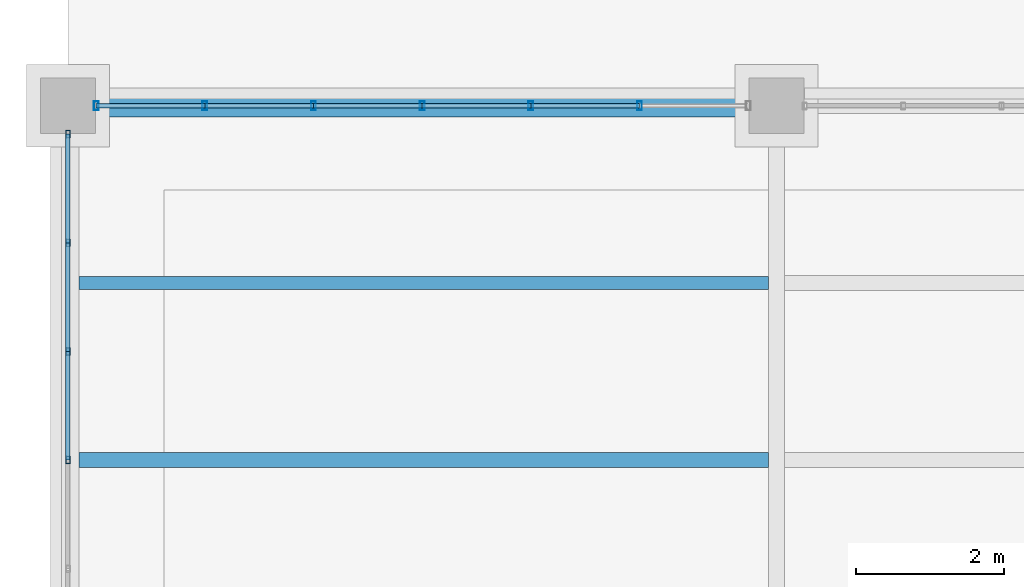
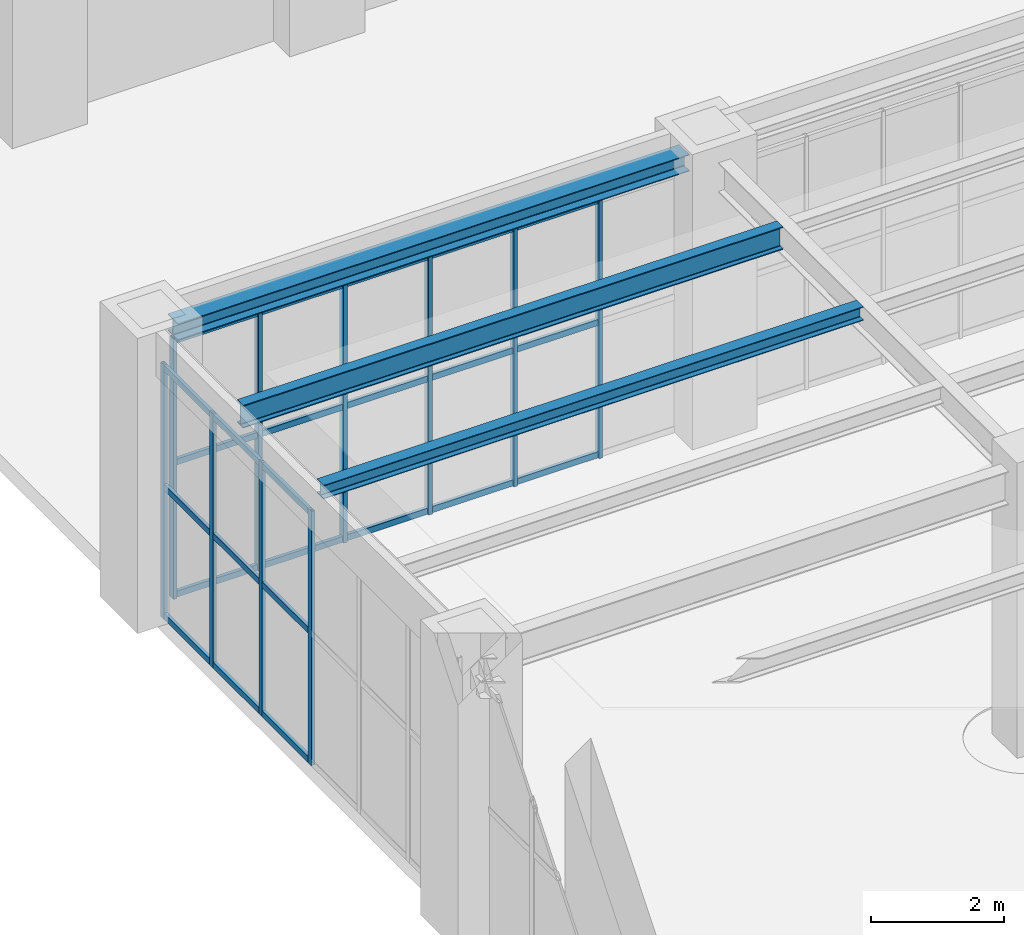
# One storey, part 31 of 164: 34 members, 3 beams, 2 elements without a shape of their own.
"""IFC4 building model written with IfcOpenShell, lengths in metres."""

from ifc_helpers import new_model, si_unit, direction, frame, origin, origin_2d, place, context, subcontext, project, spatial, hollow_rectangle, i_section, extrude, material, material_profile, profile_set, type_object, element, aggregate, save


model = new_model("IFC4")

# Units and contexts
model_context = context("Model", 3, precision=1e-05, world=origin(), true_north=direction((0.0, 1.0)))
body_context = subcontext(model_context, "Body", "Model", "MODEL_VIEW")
ifc_project = project(units=[si_unit("LENGTHUNIT", "METRE"), si_unit("AREAUNIT", "SQUARE_METRE"), si_unit("VOLUMEUNIT", "CUBIC_METRE"), si_unit("PLANEANGLEUNIT", "RADIAN"), si_unit("MASSUNIT", "GRAM", prefix="KILO")], contexts=[model_context])

# Site, building, storey
site_placement = place(None, origin())
site = spatial("IfcSite", under=ifc_project, at=site_placement, CompositionType="ELEMENT")
building_placement = place(site_placement, origin())
building = spatial("IfcBuilding", under=site, at=building_placement, Name="Mavantir Sound Aquarium", CompositionType="ELEMENT")
storey_placement = place(building_placement, origin())
storey = spatial("IfcBuildingStorey", under=building, at=storey_placement, Name="L00", CompositionType="ELEMENT", Elevation=0.0)

# Beams
ifc_material_1 = material(Name="Structural Steel ASTM A992 Gr50", Category="steel")
ifc_material_profile_1 = material_profile(ifc_material_1, i_section(OverallWidth=0.202880859375, OverallDepth=0.251953125, WebThickness=0.008056640625, FlangeThickness=0.013427734375, FilletRadius=0.011962890625, at=origin_2d()), Name="W250X58")
ifc_profile_set_1 = profile_set([ifc_material_profile_1], Name="Structural Steel ASTM A992 Gr50")
beam_type_1 = type_object("IfcBeamType", Name="BM-W250X58-I", PredefinedType="JOIST", material=ifc_profile_set_1)
beam_1_placement = place(storey_placement, frame((0.152587890625, 24.0, 4.969970703125), z_axis=(1.0, 0.0, 0.0), x_axis=(0.0, 1.0, 0.0)))
element("IfcBeam", 1, at=beam_1_placement, inside=storey, type_object=beam_type_1, Name="L00 secondary floor joist SJ-25 496", PredefinedType="JOIST", context=body_context, shape_type="SweptSolid", body=[
    extrude(i_section(OverallWidth=0.202880859375, OverallDepth=0.251953125, WebThickness=0.008056640625, FlangeThickness=0.013427734375, FilletRadius=0.011962890625, at=origin_2d()), origin(), (0.0, 0.0, 1.0), 9.34130859375),
])
ifc_material_profile_2 = material_profile(ifc_material_1, i_section(OverallWidth=0.304931640625, OverallDepth=0.30810546875, WebThickness=0.010009765625, FlangeThickness=0.015380859375, FilletRadius=0.014892578125, at=origin_2d()), Name="W310X97")
ifc_profile_set_2 = profile_set([ifc_material_profile_2], Name="Structural Steel ASTM A992 Gr50")
beam_type_2 = type_object("IfcBeamType", Name="BM-W310X97-E", PredefinedType="SPANDREL", material=ifc_profile_set_2)
beam_2_placement = place(storey_placement, frame((0.375, 28.800048828125, 4.94189453125), z_axis=(1.0, 0.0, 0.0), x_axis=(0.0, 1.0, 0.0)))
element("IfcBeam", 2, at=beam_2_placement, inside=storey, type_object=beam_type_2, Name="L00 primary beam SS-31A 901", PredefinedType="SPANDREL", context=body_context, shape_type="SweptSolid", body=[
    extrude(i_section(OverallWidth=0.304931640625, OverallDepth=0.30810546875, WebThickness=0.010009765625, FlangeThickness=0.015380859375, FilletRadius=0.014892578125, at=origin_2d()), origin(), (0.0, 0.0, 1.0), 8.85009765625),
])
ifc_material_profile_3 = material_profile(ifc_material_1, i_section(OverallWidth=0.180908203125, OverallDepth=0.4169921875, WebThickness=0.010986328125, FlangeThickness=0.018310546875, FilletRadius=0.014892578125, at=origin_2d()), Name="W410X85")
ifc_profile_set_3 = profile_set([ifc_material_profile_3], Name="Structural Steel ASTM A992 Gr50")
beam_type_3 = type_object("IfcBeamType", Name="BM-W410X85-I", PredefinedType="JOIST", material=ifc_profile_set_3)
beam_3_placement = place(storey_placement, frame((0.152587890625, 26.39990234375, 4.887451171875), z_axis=(1.0, 0.0, 0.0), x_axis=(0.0, 1.0, 0.0)))
element("IfcBeam", 3, at=beam_3_placement, inside=storey, type_object=beam_type_3, Name="L00 secondary floor joist SJ-41 497", PredefinedType="JOIST", context=body_context, shape_type="SweptSolid", body=[
    extrude(i_section(OverallWidth=0.180908203125, OverallDepth=0.4169921875, WebThickness=0.010986328125, FlangeThickness=0.018310546875, FilletRadius=0.014892578125, at=origin_2d()), origin(), (0.0, 0.0, 1.0), 9.34130859375),
])

# Curtain wall, members
ifc_material_2 = material(Name="Anodised Marine Aluminium and Low-E Glass", Category="aluminium")
curtain_wall_type_1 = type_object("IfcCurtainWallType", Name="CW-T11", PredefinedType="USERDEFINED", material=ifc_material_2)
curtain_wall_1_placement = place(storey_placement, origin())
curtain_wall_1 = element("IfcCurtainWall", 4, at=curtain_wall_1_placement, inside=storey, type_object=curtain_wall_type_1, Name="L00 unitised curtain wall CW-11 11", ObjectType="UNITISED GLAZING", PredefinedType="USERDEFINED")
ifc_material_3 = material(Name="Anodised Marine Aluminium 6063-T6", Category="aluminium")
ifc_material_profile_4 = material_profile(ifc_material_3, hollow_rectangle(XDim=0.06005859375, YDim=0.10009765625, WallThickness=0.00390625, at=origin_2d()), Name="ALU-MULLION-100X60")
ifc_profile_set_4 = profile_set([ifc_material_profile_4], Name="Anodised Marine Aluminium 6063-T6")
member_type_1 = type_object("IfcMemberType", Name="CW-MUL-100", PredefinedType="MULLION", material=ifc_profile_set_4)
member_1_placement = place(storey_placement, frame((0.0, 28.4169921875, 0.0), z_axis=(0.0, 0.0, 1.0), x_axis=(1.0, 0.0, 0.0)))
member_1 = element("IfcMember", 5, at=member_1_placement, type_object=member_type_1, Name="CW-L00-011 vertical mullion 1", PredefinedType="MULLION", context=body_context, shape_type="SweptSolid", body=[
    extrude(hollow_rectangle(XDim=0.06005859375, YDim=0.10009765625, WallThickness=0.00390625, at=origin_2d()), origin(), (0.0, 0.0, 1.0), 4.64892578125),
])
member_2_placement = place(storey_placement, frame((0.0, 26.944580078125, 0.0), z_axis=(0.0, 0.0, 1.0), x_axis=(1.0, 0.0, 0.0)))
member_2 = element("IfcMember", 6, at=member_2_placement, type_object=member_type_1, Name="CW-L00-011 vertical mullion 2", PredefinedType="MULLION", context=body_context, shape_type="SweptSolid", body=[
    extrude(hollow_rectangle(XDim=0.06005859375, YDim=0.10009765625, WallThickness=0.00390625, at=origin_2d()), origin(), (0.0, 0.0, 1.0), 4.64892578125),
])
member_3_placement = place(storey_placement, frame((0.0, 25.472412109375, 0.0), z_axis=(0.0, 0.0, 1.0), x_axis=(1.0, 0.0, 0.0)))
member_3 = element("IfcMember", 7, at=member_3_placement, type_object=member_type_1, Name="CW-L00-011 vertical mullion 3", PredefinedType="MULLION", context=body_context, shape_type="SweptSolid", body=[
    extrude(hollow_rectangle(XDim=0.06005859375, YDim=0.10009765625, WallThickness=0.00390625, at=origin_2d()), origin(), (0.0, 0.0, 1.0), 4.64892578125),
])
member_4_placement = place(storey_placement, frame((0.0, 24.0, 0.0), z_axis=(0.0, 0.0, 1.0), x_axis=(1.0, 0.0, 0.0)))
member_4 = element("IfcMember", 8, at=member_4_placement, type_object=member_type_1, Name="CW-L00-011 vertical mullion 4", PredefinedType="MULLION", context=body_context, shape_type="SweptSolid", body=[
    extrude(hollow_rectangle(XDim=0.06005859375, YDim=0.10009765625, WallThickness=0.00390625, at=origin_2d()), origin(), (0.0, 0.0, 1.0), 4.64892578125),
])

curtain_wall_type_2 = type_object("IfcCurtainWallType", Name="CW-T10", PredefinedType="USERDEFINED", material=ifc_material_2)
curtain_wall_2_placement = place(storey_placement, origin())
curtain_wall_2 = element("IfcCurtainWall", 9, at=curtain_wall_2_placement, inside=storey, type_object=curtain_wall_type_2, Name="L00 unitised curtain wall CW-10 10", ObjectType="UNITISED GLAZING", PredefinedType="USERDEFINED")
ifc_material_profile_5 = material_profile(ifc_material_3, hollow_rectangle(XDim=0.06494140625, YDim=0.1201171875, WallThickness=0.00390625, at=origin_2d()), Name="ALU-MULLION-120X65")
ifc_profile_set_5 = profile_set([ifc_material_profile_5], Name="Anodised Marine Aluminium 6063-T6")
member_type_2 = type_object("IfcMemberType", Name="CW-MUL-120", PredefinedType="MULLION", material=ifc_profile_set_5)
member_5_placement = place(storey_placement, frame((7.74462890625, 28.800048828125, 0.0), z_axis=(0.0, 0.0, 1.0), x_axis=(1.0, 0.0, 0.0)))
member_5 = element("IfcMember", 10, at=member_5_placement, type_object=member_type_2, Name="CW-L00-010 vertical mullion 2", PredefinedType="MULLION", context=body_context, shape_type="SweptSolid", body=[
    extrude(hollow_rectangle(XDim=0.06494140625, YDim=0.1201171875, WallThickness=0.00390625, at=origin_2d()), origin(), (0.0, 0.0, 1.0), 4.758056640625),
])
member_6_placement = place(storey_placement, frame((6.272216796875, 28.800048828125, 0.0), z_axis=(0.0, 0.0, 1.0), x_axis=(1.0, 0.0, 0.0)))
member_6 = element("IfcMember", 11, at=member_6_placement, type_object=member_type_2, Name="CW-L00-010 vertical mullion 3", PredefinedType="MULLION", context=body_context, shape_type="SweptSolid", body=[
    extrude(hollow_rectangle(XDim=0.06494140625, YDim=0.1201171875, WallThickness=0.00390625, at=origin_2d()), origin(), (0.0, 0.0, 1.0), 4.758056640625),
])
member_7_placement = place(storey_placement, frame((4.800048828125, 28.800048828125, 0.0), z_axis=(0.0, 0.0, 1.0), x_axis=(1.0, 0.0, 0.0)))
member_7 = element("IfcMember", 12, at=member_7_placement, type_object=member_type_2, Name="CW-L00-010 vertical mullion 4", PredefinedType="MULLION", context=body_context, shape_type="SweptSolid", body=[
    extrude(hollow_rectangle(XDim=0.06494140625, YDim=0.1201171875, WallThickness=0.00390625, at=origin_2d()), origin(), (0.0, 0.0, 1.0), 4.758056640625),
])
member_8_placement = place(storey_placement, frame((3.32763671875, 28.800048828125, 0.0), z_axis=(0.0, 0.0, 1.0), x_axis=(1.0, 0.0, 0.0)))
member_8 = element("IfcMember", 13, at=member_8_placement, type_object=member_type_2, Name="CW-L00-010 vertical mullion 5", PredefinedType="MULLION", context=body_context, shape_type="SweptSolid", body=[
    extrude(hollow_rectangle(XDim=0.06494140625, YDim=0.1201171875, WallThickness=0.00390625, at=origin_2d()), origin(), (0.0, 0.0, 1.0), 4.758056640625),
])
member_9_placement = place(storey_placement, frame((1.855224609375, 28.800048828125, 0.0), z_axis=(0.0, 0.0, 1.0), x_axis=(1.0, 0.0, 0.0)))
member_9 = element("IfcMember", 14, at=member_9_placement, type_object=member_type_2, Name="CW-L00-010 vertical mullion 6", PredefinedType="MULLION", context=body_context, shape_type="SweptSolid", body=[
    extrude(hollow_rectangle(XDim=0.06494140625, YDim=0.1201171875, WallThickness=0.00390625, at=origin_2d()), origin(), (0.0, 0.0, 1.0), 4.758056640625),
])
member_10_placement = place(storey_placement, frame((0.383056640625, 28.800048828125, 0.0), z_axis=(0.0, 0.0, 1.0), x_axis=(1.0, 0.0, 0.0)))
member_10 = element("IfcMember", 15, at=member_10_placement, type_object=member_type_2, Name="CW-L00-010 vertical mullion 7", PredefinedType="MULLION", context=body_context, shape_type="SweptSolid", body=[
    extrude(hollow_rectangle(XDim=0.06494140625, YDim=0.1201171875, WallThickness=0.00390625, at=origin_2d()), origin(), (0.0, 0.0, 1.0), 4.758056640625),
])
ifc_material_profile_6 = material_profile(ifc_material_3, hollow_rectangle(XDim=0.06005859375, YDim=0.110107421875, WallThickness=0.00390625, at=origin_2d()), Name="ALU-TRANSOM-110X60")
ifc_profile_set_6 = profile_set([ifc_material_profile_6], Name="Anodised Marine Aluminium 6063-T6")
member_type_3 = type_object("IfcMemberType", Name="CW-TRN-110", PredefinedType="USERDEFINED", material=ifc_profile_set_6)
member_11_placement = place(storey_placement, frame((7.74462890625, 28.800048828125, 0.054931640625), z_axis=(-1.0, 0.0, 0.0), x_axis=(0.0, -1.0, 0.0)))
member_11 = element("IfcMember", 16, at=member_11_placement, type_object=member_type_3, Name="CW-L00-010 transom 2.1", ObjectType="TRANSOM", PredefinedType="USERDEFINED", context=body_context, shape_type="SweptSolid", body=[
    extrude(hollow_rectangle(XDim=0.06005859375, YDim=0.110107421875, WallThickness=0.00390625, at=origin_2d()), origin(), (0.0, 0.0, 1.0), 1.472412109375),
])
member_12_placement = place(storey_placement, frame((7.74462890625, 28.800048828125, 2.47412109375), z_axis=(-1.0, 0.0, 0.0), x_axis=(0.0, -1.0, 0.0)))
member_12 = element("IfcMember", 17, at=member_12_placement, type_object=member_type_3, Name="CW-L00-010 transom 2.2", ObjectType="TRANSOM", PredefinedType="USERDEFINED", context=body_context, shape_type="SweptSolid", body=[
    extrude(hollow_rectangle(XDim=0.06005859375, YDim=0.110107421875, WallThickness=0.00390625, at=origin_2d()), origin(), (0.0, 0.0, 1.0), 1.472412109375),
])
member_13_placement = place(storey_placement, frame((7.74462890625, 28.800048828125, 4.702880859375), z_axis=(-1.0, 0.0, 0.0), x_axis=(0.0, -1.0, 0.0)))
member_13 = element("IfcMember", 18, at=member_13_placement, type_object=member_type_3, Name="CW-L00-010 transom 2.3", ObjectType="TRANSOM", PredefinedType="USERDEFINED", context=body_context, shape_type="SweptSolid", body=[
    extrude(hollow_rectangle(XDim=0.06005859375, YDim=0.110107421875, WallThickness=0.00390625, at=origin_2d()), origin(), (0.0, 0.0, 1.0), 1.472412109375),
])
member_14_placement = place(storey_placement, frame((6.272216796875, 28.800048828125, 0.054931640625), z_axis=(-1.0, 0.0, 0.0), x_axis=(0.0, -1.0, 0.0)))
member_14 = element("IfcMember", 19, at=member_14_placement, type_object=member_type_3, Name="CW-L00-010 transom 3.1", ObjectType="TRANSOM", PredefinedType="USERDEFINED", context=body_context, shape_type="SweptSolid", body=[
    extrude(hollow_rectangle(XDim=0.06005859375, YDim=0.110107421875, WallThickness=0.00390625, at=origin_2d()), origin(), (0.0, 0.0, 1.0), 1.47216796875),
])
member_15_placement = place(storey_placement, frame((6.272216796875, 28.800048828125, 2.47412109375), z_axis=(-1.0, 0.0, 0.0), x_axis=(0.0, -1.0, 0.0)))
member_15 = element("IfcMember", 20, at=member_15_placement, type_object=member_type_3, Name="CW-L00-010 transom 3.2", ObjectType="TRANSOM", PredefinedType="USERDEFINED", context=body_context, shape_type="SweptSolid", body=[
    extrude(hollow_rectangle(XDim=0.06005859375, YDim=0.110107421875, WallThickness=0.00390625, at=origin_2d()), origin(), (0.0, 0.0, 1.0), 1.47216796875),
])
member_16_placement = place(storey_placement, frame((6.272216796875, 28.800048828125, 4.702880859375), z_axis=(-1.0, 0.0, 0.0), x_axis=(0.0, -1.0, 0.0)))
member_16 = element("IfcMember", 21, at=member_16_placement, type_object=member_type_3, Name="CW-L00-010 transom 3.3", ObjectType="TRANSOM", PredefinedType="USERDEFINED", context=body_context, shape_type="SweptSolid", body=[
    extrude(hollow_rectangle(XDim=0.06005859375, YDim=0.110107421875, WallThickness=0.00390625, at=origin_2d()), origin(), (0.0, 0.0, 1.0), 1.47216796875),
])
member_17_placement = place(storey_placement, frame((4.800048828125, 28.800048828125, 0.054931640625), z_axis=(-1.0, 0.0, 0.0), x_axis=(0.0, -1.0, 0.0)))
member_17 = element("IfcMember", 22, at=member_17_placement, type_object=member_type_3, Name="CW-L00-010 transom 4.1", ObjectType="TRANSOM", PredefinedType="USERDEFINED", context=body_context, shape_type="SweptSolid", body=[
    extrude(hollow_rectangle(XDim=0.06005859375, YDim=0.110107421875, WallThickness=0.00390625, at=origin_2d()), origin(), (0.0, 0.0, 1.0), 1.472412109375),
])
member_18_placement = place(storey_placement, frame((4.800048828125, 28.800048828125, 2.47412109375), z_axis=(-1.0, 0.0, 0.0), x_axis=(0.0, -1.0, 0.0)))
member_18 = element("IfcMember", 23, at=member_18_placement, type_object=member_type_3, Name="CW-L00-010 transom 4.2", ObjectType="TRANSOM", PredefinedType="USERDEFINED", context=body_context, shape_type="SweptSolid", body=[
    extrude(hollow_rectangle(XDim=0.06005859375, YDim=0.110107421875, WallThickness=0.00390625, at=origin_2d()), origin(), (0.0, 0.0, 1.0), 1.472412109375),
])
member_19_placement = place(storey_placement, frame((4.800048828125, 28.800048828125, 4.702880859375), z_axis=(-1.0, 0.0, 0.0), x_axis=(0.0, -1.0, 0.0)))
member_19 = element("IfcMember", 24, at=member_19_placement, type_object=member_type_3, Name="CW-L00-010 transom 4.3", ObjectType="TRANSOM", PredefinedType="USERDEFINED", context=body_context, shape_type="SweptSolid", body=[
    extrude(hollow_rectangle(XDim=0.06005859375, YDim=0.110107421875, WallThickness=0.00390625, at=origin_2d()), origin(), (0.0, 0.0, 1.0), 1.472412109375),
])
member_20_placement = place(storey_placement, frame((3.32763671875, 28.800048828125, 0.054931640625), z_axis=(-1.0, 0.0, 0.0), x_axis=(0.0, -1.0, 0.0)))
member_20 = element("IfcMember", 25, at=member_20_placement, type_object=member_type_3, Name="CW-L00-010 transom 5.1", ObjectType="TRANSOM", PredefinedType="USERDEFINED", context=body_context, shape_type="SweptSolid", body=[
    extrude(hollow_rectangle(XDim=0.06005859375, YDim=0.110107421875, WallThickness=0.00390625, at=origin_2d()), origin(), (0.0, 0.0, 1.0), 1.472412109375),
])
member_21_placement = place(storey_placement, frame((3.32763671875, 28.800048828125, 2.47412109375), z_axis=(-1.0, 0.0, 0.0), x_axis=(0.0, -1.0, 0.0)))
member_21 = element("IfcMember", 26, at=member_21_placement, type_object=member_type_3, Name="CW-L00-010 transom 5.2", ObjectType="TRANSOM", PredefinedType="USERDEFINED", context=body_context, shape_type="SweptSolid", body=[
    extrude(hollow_rectangle(XDim=0.06005859375, YDim=0.110107421875, WallThickness=0.00390625, at=origin_2d()), origin(), (0.0, 0.0, 1.0), 1.472412109375),
])
member_22_placement = place(storey_placement, frame((3.32763671875, 28.800048828125, 4.702880859375), z_axis=(-1.0, 0.0, 0.0), x_axis=(0.0, -1.0, 0.0)))
member_22 = element("IfcMember", 27, at=member_22_placement, type_object=member_type_3, Name="CW-L00-010 transom 5.3", ObjectType="TRANSOM", PredefinedType="USERDEFINED", context=body_context, shape_type="SweptSolid", body=[
    extrude(hollow_rectangle(XDim=0.06005859375, YDim=0.110107421875, WallThickness=0.00390625, at=origin_2d()), origin(), (0.0, 0.0, 1.0), 1.472412109375),
])
member_23_placement = place(storey_placement, frame((1.855224609375, 28.800048828125, 0.054931640625), z_axis=(-1.0, 0.0, 0.0), x_axis=(0.0, -1.0, 0.0)))
member_23 = element("IfcMember", 28, at=member_23_placement, type_object=member_type_3, Name="CW-L00-010 transom 6.1", ObjectType="TRANSOM", PredefinedType="USERDEFINED", context=body_context, shape_type="SweptSolid", body=[
    extrude(hollow_rectangle(XDim=0.06005859375, YDim=0.110107421875, WallThickness=0.00390625, at=origin_2d()), origin(), (0.0, 0.0, 1.0), 1.47216796875),
])
member_24_placement = place(storey_placement, frame((1.855224609375, 28.800048828125, 2.47412109375), z_axis=(-1.0, 0.0, 0.0), x_axis=(0.0, -1.0, 0.0)))
member_24 = element("IfcMember", 29, at=member_24_placement, type_object=member_type_3, Name="CW-L00-010 transom 6.2", ObjectType="TRANSOM", PredefinedType="USERDEFINED", context=body_context, shape_type="SweptSolid", body=[
    extrude(hollow_rectangle(XDim=0.06005859375, YDim=0.110107421875, WallThickness=0.00390625, at=origin_2d()), origin(), (0.0, 0.0, 1.0), 1.47216796875),
])
member_25_placement = place(storey_placement, frame((1.855224609375, 28.800048828125, 4.702880859375), z_axis=(-1.0, 0.0, 0.0), x_axis=(0.0, -1.0, 0.0)))
member_25 = element("IfcMember", 30, at=member_25_placement, type_object=member_type_3, Name="CW-L00-010 transom 6.3", ObjectType="TRANSOM", PredefinedType="USERDEFINED", context=body_context, shape_type="SweptSolid", body=[
    extrude(hollow_rectangle(XDim=0.06005859375, YDim=0.110107421875, WallThickness=0.00390625, at=origin_2d()), origin(), (0.0, 0.0, 1.0), 1.47216796875),
])
aggregate(curtain_wall_2, [member_5, member_6, member_7, member_8, member_9, member_10, member_11, member_12, member_13, member_14, member_15, member_16, member_17, member_18, member_19, member_20, member_21, member_22, member_23, member_24, member_25])

# Member
member_26_placement = place(storey_placement, frame((0.0, 28.4169921875, 0.054931640625), z_axis=(0.0, -1.0, 0.0), x_axis=(1.0, 0.0, 0.0)))
member_26 = element("IfcMember", 31, at=member_26_placement, type_object=member_type_3, Name="CW-L00-011 transom 1.1", ObjectType="TRANSOM", PredefinedType="USERDEFINED", context=body_context, shape_type="SweptSolid", body=[
    extrude(hollow_rectangle(XDim=0.06005859375, YDim=0.110107421875, WallThickness=0.00390625, at=origin_2d()), origin(), (0.0, 0.0, 1.0), 1.472412109375),
])

member_27_placement = place(storey_placement, frame((0.0, 28.4169921875, 2.41748046875), z_axis=(0.0, -1.0, 0.0), x_axis=(1.0, 0.0, 0.0)))
member_27 = element("IfcMember", 32, at=member_27_placement, type_object=member_type_3, Name="CW-L00-011 transom 1.2", ObjectType="TRANSOM", PredefinedType="USERDEFINED", context=body_context, shape_type="SweptSolid", body=[
    extrude(hollow_rectangle(XDim=0.06005859375, YDim=0.110107421875, WallThickness=0.00390625, at=origin_2d()), origin(), (0.0, 0.0, 1.0), 1.472412109375),
])

member_28_placement = place(storey_placement, frame((0.0, 28.4169921875, 4.593994140625), z_axis=(0.0, -1.0, 0.0), x_axis=(1.0, 0.0, 0.0)))
member_28 = element("IfcMember", 33, at=member_28_placement, type_object=member_type_3, Name="CW-L00-011 transom 1.3", ObjectType="TRANSOM", PredefinedType="USERDEFINED", context=body_context, shape_type="SweptSolid", body=[
    extrude(hollow_rectangle(XDim=0.06005859375, YDim=0.110107421875, WallThickness=0.00390625, at=origin_2d()), origin(), (0.0, 0.0, 1.0), 1.472412109375),
])

member_29_placement = place(storey_placement, frame((0.0, 26.944580078125, 0.054931640625), z_axis=(0.0, -1.0, 0.0), x_axis=(1.0, 0.0, 0.0)))
member_29 = element("IfcMember", 34, at=member_29_placement, type_object=member_type_3, Name="CW-L00-011 transom 2.1", ObjectType="TRANSOM", PredefinedType="USERDEFINED", context=body_context, shape_type="SweptSolid", body=[
    extrude(hollow_rectangle(XDim=0.06005859375, YDim=0.110107421875, WallThickness=0.00390625, at=origin_2d()), origin(), (0.0, 0.0, 1.0), 1.47216796875),
])

member_30_placement = place(storey_placement, frame((0.0, 26.944580078125, 2.41748046875), z_axis=(0.0, -1.0, 0.0), x_axis=(1.0, 0.0, 0.0)))
member_30 = element("IfcMember", 35, at=member_30_placement, type_object=member_type_3, Name="CW-L00-011 transom 2.2", ObjectType="TRANSOM", PredefinedType="USERDEFINED", context=body_context, shape_type="SweptSolid", body=[
    extrude(hollow_rectangle(XDim=0.06005859375, YDim=0.110107421875, WallThickness=0.00390625, at=origin_2d()), origin(), (0.0, 0.0, 1.0), 1.47216796875),
])

member_31_placement = place(storey_placement, frame((0.0, 26.944580078125, 4.593994140625), z_axis=(0.0, -1.0, 0.0), x_axis=(1.0, 0.0, 0.0)))
member_31 = element("IfcMember", 36, at=member_31_placement, type_object=member_type_3, Name="CW-L00-011 transom 2.3", ObjectType="TRANSOM", PredefinedType="USERDEFINED", context=body_context, shape_type="SweptSolid", body=[
    extrude(hollow_rectangle(XDim=0.06005859375, YDim=0.110107421875, WallThickness=0.00390625, at=origin_2d()), origin(), (0.0, 0.0, 1.0), 1.47216796875),
])

member_32_placement = place(storey_placement, frame((0.0, 25.472412109375, 0.054931640625), z_axis=(0.0, -1.0, 0.0), x_axis=(1.0, 0.0, 0.0)))
member_32 = element("IfcMember", 37, at=member_32_placement, type_object=member_type_3, Name="CW-L00-011 transom 3.1", ObjectType="TRANSOM", PredefinedType="USERDEFINED", context=body_context, shape_type="SweptSolid", body=[
    extrude(hollow_rectangle(XDim=0.06005859375, YDim=0.110107421875, WallThickness=0.00390625, at=origin_2d()), origin(), (0.0, 0.0, 1.0), 1.472412109375),
])

member_33_placement = place(storey_placement, frame((0.0, 25.472412109375, 2.41748046875), z_axis=(0.0, -1.0, 0.0), x_axis=(1.0, 0.0, 0.0)))
member_33 = element("IfcMember", 38, at=member_33_placement, type_object=member_type_3, Name="CW-L00-011 transom 3.2", ObjectType="TRANSOM", PredefinedType="USERDEFINED", context=body_context, shape_type="SweptSolid", body=[
    extrude(hollow_rectangle(XDim=0.06005859375, YDim=0.110107421875, WallThickness=0.00390625, at=origin_2d()), origin(), (0.0, 0.0, 1.0), 1.472412109375),
])

member_34_placement = place(storey_placement, frame((0.0, 25.472412109375, 4.593994140625), z_axis=(0.0, -1.0, 0.0), x_axis=(1.0, 0.0, 0.0)))
member_34 = element("IfcMember", 39, at=member_34_placement, type_object=member_type_3, Name="CW-L00-011 transom 3.3", ObjectType="TRANSOM", PredefinedType="USERDEFINED", context=body_context, shape_type="SweptSolid", body=[
    extrude(hollow_rectangle(XDim=0.06005859375, YDim=0.110107421875, WallThickness=0.00390625, at=origin_2d()), origin(), (0.0, 0.0, 1.0), 1.472412109375),
])

aggregate(curtain_wall_1, [member_1, member_2, member_3, member_4, member_26, member_27, member_28, member_29, member_30, member_31, member_32, member_33, member_34])

save(model, "model.ifc")
